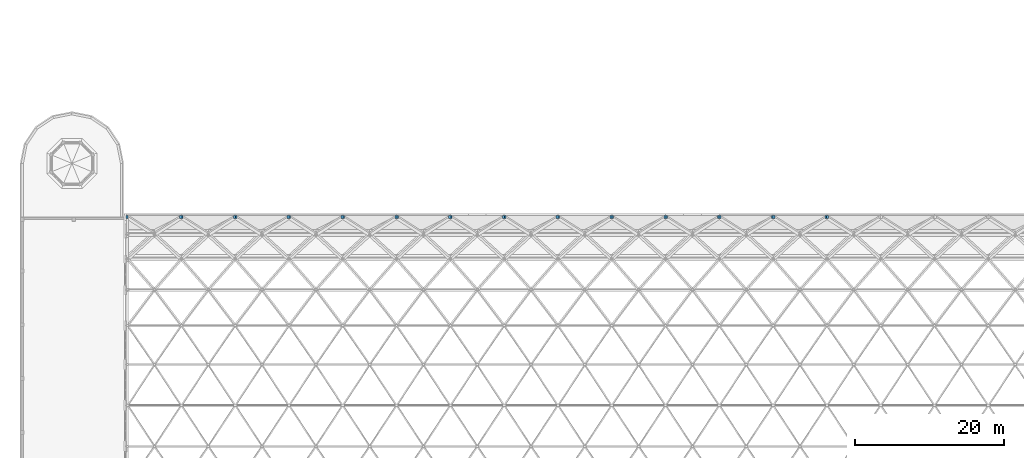
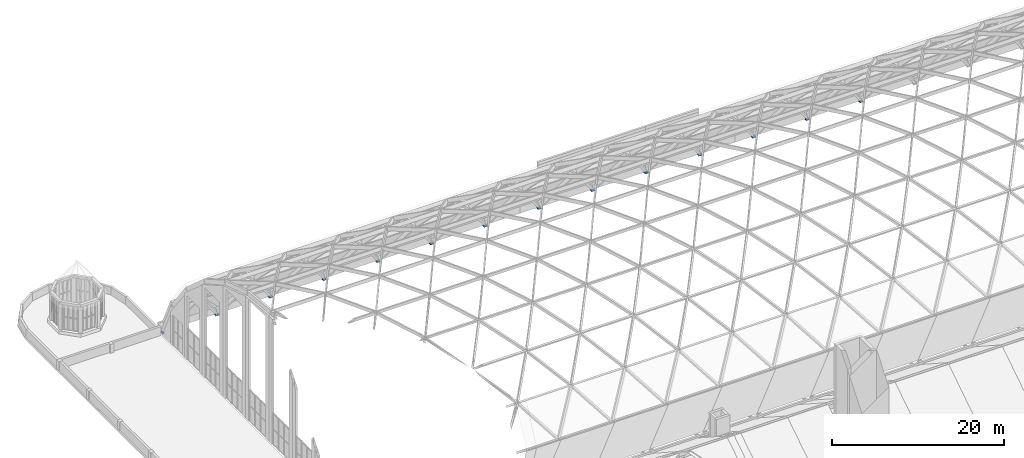
# One storey, part 47 of 52: 27 discrete accessories.
"""IFC4 building model written with IfcOpenShell, lengths in metres."""

from ifc_helpers import new_model, si_unit, direction, frame, origin, origin_2d, place, context, subcontext, project, spatial, rectangle, extrude, material, layer, layer_set, type_object, element, save


model = new_model("IFC4")

# Units and contexts
model_context = context("Model", 3, precision=1e-05, world=origin(), true_north=direction((0.0, 1.0)))
body_context = subcontext(model_context, "Body", "Model", "MODEL_VIEW")
ifc_project = project(units=[si_unit("LENGTHUNIT", "METRE"), si_unit("AREAUNIT", "SQUARE_METRE"), si_unit("VOLUMEUNIT", "CUBIC_METRE"), si_unit("PLANEANGLEUNIT", "RADIAN"), si_unit("MASSUNIT", "GRAM", prefix="KILO")], contexts=[model_context])

# Site, building, storey
site_placement = place(None, origin())
site = spatial("IfcSite", under=ifc_project, at=site_placement, CompositionType="ELEMENT")
building_placement = place(site_placement, origin())
building = spatial("IfcBuilding", under=site, at=building_placement, Name="Vermilion Court Aquatics Centre", CompositionType="ELEMENT")
storey_placement = place(building_placement, frame((0.0, 0.0, 12.0)))
storey = spatial("IfcBuildingStorey", under=building, at=storey_placement, Name="L02", CompositionType="ELEMENT", Elevation=12.0)

# Discrete accessories
ifc_material = material(Name="Stainless steel 1.4547, 1.4529 or 1.4565", Category="steel")
ifc_layer = layer(ifc_material, 0.02490234375)
ifc_layer_set = layer_set([ifc_layer], Name="Gridshell springing seat plate")
discrete_accessory_type = type_object("IfcDiscreteAccessoryType", Name="Gridshell springing seat plate", PredefinedType="SHOE", material=ifc_layer_set)
for number, where, z_axis, x_axis, name in (
    (1, (14.3154296875, 64.854248046875, 0.025146484375), (0.0, 0.0, 1.0), (1.0, 0.0, 0.0), "Gridshell springing seat plate NP2 N37"),
    (2, (21.515380859375, 64.854248046875, 0.025146484375), (0.0, 0.0, 1.0), (1.0, 0.0, 0.0), "Gridshell springing seat plate NP2 N38"),
    (3, (21.6845703125, 64.854248046875, 0.025146484375), (0.0, 0.0, 1.0), (1.0, 0.0, 0.0), "Gridshell springing seat plate NP2 N39"),
    (4, (28.715576171875, 64.854248046875, 0.025146484375), (0.0, 0.0, 1.0), (1.0, 0.0, 0.0), "Gridshell springing seat plate NP2 N40"),
    (5, (28.884521484375, 64.854248046875, 0.025146484375), (0.0, 0.0, 1.0), (1.0, 0.0, 0.0), "Gridshell springing seat plate NP2 N41"),
    (6, (35.91552734375, 64.854248046875, 0.025146484375), (0.0, 0.0, 1.0), (1.0, 0.0, 0.0), "Gridshell springing seat plate NP2 N42"),
    (7, (36.08447265625, 64.854248046875, 0.025146484375), (0.0, 0.0, 1.0), (1.0, 0.0, 0.0), "Gridshell springing seat plate NP2 N43"),
    (8, (43.115478515625, 64.854248046875, 0.025146484375), (0.0, 0.0, 1.0), (1.0, 0.0, 0.0), "Gridshell springing seat plate NP2 N44"),
    (9, (43.284423828125, 64.854248046875, 0.025146484375), (0.0, 0.0, 1.0), (1.0, 0.0, 0.0), "Gridshell springing seat plate NP2 N45"),
    (10, (50.3154296875, 64.854248046875, 0.025146484375), (0.0, 0.0, 1.0), (1.0, 0.0, 0.0), "Gridshell springing seat plate NP2 N46"),
    (11, (50.484619140625, 64.854248046875, 0.025146484375), (0.0, 0.0, 1.0), (1.0, 0.0, 0.0), "Gridshell springing seat plate NP2 N47"),
    (12, (57.515380859375, 64.854248046875, 0.025146484375), (0.0, 0.0, 1.0), (1.0, 0.0, 0.0), "Gridshell springing seat plate NP2 N48"),
    (13, (57.6845703125, 64.854248046875, 0.025146484375), (0.0, 0.0, 1.0), (1.0, 0.0, 0.0), "Gridshell springing seat plate NP2 N49"),
    (14, (64.715576171875, 64.854248046875, 0.025146484375), (0.0, 0.0, 1.0), (1.0, 0.0, 0.0), "Gridshell springing seat plate NP2 N50"),
    (15, (64.884521484375, 64.854248046875, 0.025146484375), (0.0, 0.0, 1.0), (1.0, 0.0, 0.0), "Gridshell springing seat plate NP2 N51"),
    (16, (71.91552734375, 64.854248046875, 0.025146484375), (0.0, 0.0, 1.0), (1.0, 0.0, 0.0), "Gridshell springing seat plate NP2 N52"),
    (17, (72.08447265625, 64.854248046875, 0.025146484375), (0.0, 0.0, 1.0), (1.0, 0.0, 0.0), "Gridshell springing seat plate NP2 N53"),
    (18, (79.115478515625, 64.854248046875, 0.025146484375), (0.0, 0.0, 1.0), (1.0, 0.0, 0.0), "Gridshell springing seat plate NP2 N54"),
    (19, (79.284423828125, 64.854248046875, 0.025146484375), (0.0, 0.0, 1.0), (1.0, 0.0, 0.0), "Gridshell springing seat plate NP2 N55"),
    (20, (86.3154296875, 64.854248046875, 0.025146484375), (0.0, 0.0, 1.0), (1.0, 0.0, 0.0), "Gridshell springing seat plate NP2 N56"),
    (21, (86.484619140625, 64.854248046875, 0.025146484375), (0.0, 0.0, 1.0), (1.0, 0.0, 0.0), "Gridshell springing seat plate NP2 N57"),
    (22, (93.515380859375, 64.854248046875, 0.025146484375), (0.0, 0.0, 1.0), (1.0, 0.0, 0.0), "Gridshell springing seat plate NP2 N58"),
    (23, (93.6845703125, 64.854248046875, 0.025146484375), (0.0, 0.0, 1.0), (1.0, 0.0, 0.0), "Gridshell springing seat plate NP2 N59"),
    (24, (100.715576171875, 64.854248046875, 0.025146484375), (0.0, 0.0, 1.0), (1.0, 0.0, 0.0), "Gridshell springing seat plate NP2 N60"),
    (25, (100.884521484375, 64.854248046875, 0.025146484375), (0.0, 0.0, 1.0), (1.0, 0.0, 0.0), "Gridshell springing seat plate NP2 N61"),
    (26, (107.91552734375, 64.854248046875, 0.025146484375), (0.0, 0.0, 1.0), (1.0, 0.0, 0.0), "Gridshell springing seat plate NP2 N62"),
    (27, (108.08447265625, 64.854248046875, 0.025146484375), (0.0, 0.0, 1.0), (1.0, 0.0, 0.0), "Gridshell springing seat plate NP2 N63"),
):
    element("IfcDiscreteAccessory", number, at=place(storey_placement, frame(where, z_axis=z_axis, x_axis=x_axis)), inside=storey, type_object=discrete_accessory_type, Name=name, PredefinedType="SHOE", context=body_context, shape_type="SweptSolid", body=[
        extrude(rectangle(XDim=0.300048828125, YDim=0.39990234375, at=origin_2d()), origin(), (0.0, 0.0, 1.0), 0.02490234375),
    ])

save(model, "model.ifc")
